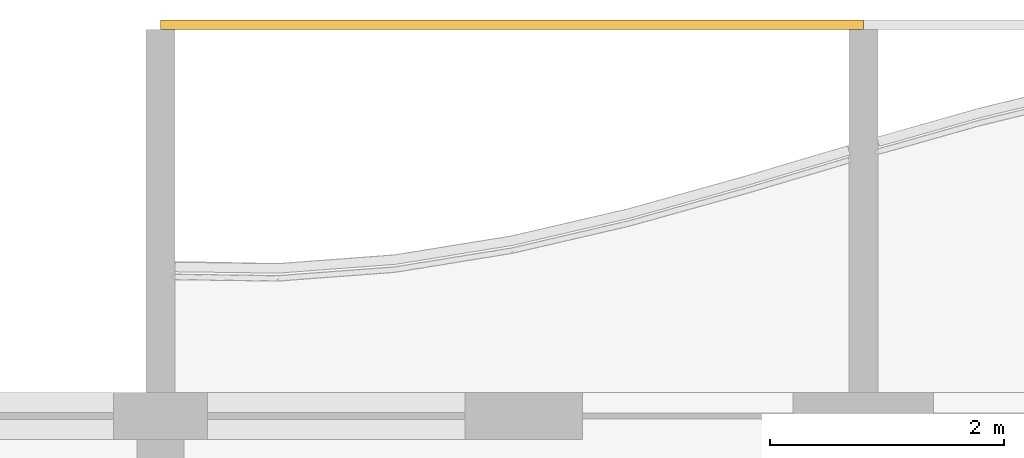
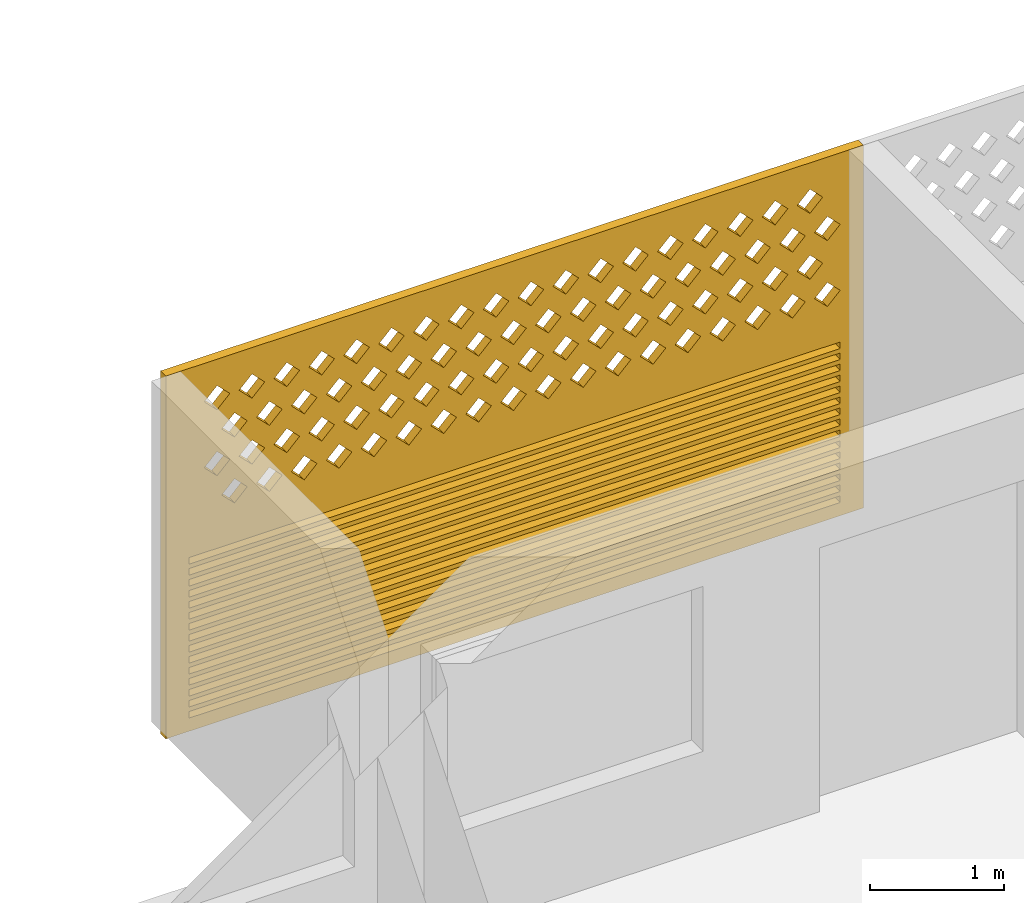
# One storey, part 30 of 39: 1 covering.
"""IFC4 building model written with IfcOpenShell, lengths in metres."""

import ifcopenshell
import ifcopenshell.guid

model = None  # the IFC model being written
_history = None  # IfcOwnerHistory: only IFC2X3 demands one
_inside = {}  # id of a spatial element -> (the spatial element, [elements in it])
_under = {}  # id of a project, library or spatial element -> (it, [spatial elements below it])
_declared = {}  # id of a project -> (the project, [libraries it declares])
_typed = {}  # id of a type object -> (the type object, [elements of that type])
_made_of = {}  # id of a material, layer set ... -> (it, [elements and type objects made of it])


def new_model(schema):
    """Start an empty IFC model of exactly this schema.

    Asked for "IFC4X3", IfcOpenShell would pick the latest addendum, in which some entities
    have other attributes; the version numbers below select the first issue.
    IFC2X3 requires an IfcOwnerHistory on every rooted entity: one is made here for all.
    """
    global model, _history
    if schema == "IFC4X3":
        model = ifcopenshell.file(schema_version=(4, 3, 0, 0))
    else:
        model = ifcopenshell.file(schema=schema)
    _inside.clear()
    _under.clear()
    _declared.clear()
    _typed.clear()
    _made_of.clear()
    _history = None
    if model.schema == "IFC2X3":
        org = make("IfcOrganization", Name="unknown")
        user = make(
            "IfcPersonAndOrganization",
            ThePerson=make("IfcPerson", FamilyName="unknown"),
            TheOrganization=org,
        )
        app = make(
            "IfcApplication",
            ApplicationDeveloper=org,
            Version="unknown",
            ApplicationFullName="unknown",
            ApplicationIdentifier="unknown",
        )
        _history = make(
            "IfcOwnerHistory",
            OwningUser=user,
            OwningApplication=app,
            ChangeAction="ADDED",
            CreationDate=0,
        )
    return model


def make(cls, **values):
    """One entity of the class cls with the attributes given. An attribute that is None is left unset."""
    return model.create_entity(
        cls, **{name: value for name, value in values.items() if value is not None}
    )


def rooted(cls, **values):
    """An entity with a GlobalId (a new one), such as an element, a storey or a relation."""
    return make(cls, GlobalId=ifcopenshell.guid.new(), OwnerHistory=_history, **values)


def si_unit(unit_type, name, prefix=None):
    """IfcSIUnit, for example si_unit("LENGTHUNIT", "METRE", prefix="MILLI")."""
    return make("IfcSIUnit", UnitType=unit_type, Prefix=prefix, Name=name)


def assignment(units):
    """IfcUnitAssignment: the units of a project."""
    return None if units is None else make("IfcUnitAssignment", Units=units)


def point(xyz):
    """IfcCartesianPoint."""
    return None if xyz is None else make("IfcCartesianPoint", Coordinates=xyz)


def direction(xyz):
    """IfcDirection."""
    return None if xyz is None else make("IfcDirection", DirectionRatios=xyz)


def frame(location, z_axis=None, x_axis=None):
    """IfcAxis2Placement3D, a coordinate frame: its origin and axes. An axis left out is left unset."""
    return make(
        "IfcAxis2Placement3D",
        Location=point(location),
        Axis=direction(z_axis),
        RefDirection=direction(x_axis),
    )


def origin():
    """The frame at (0, 0, 0) with its axes left unset."""
    return frame((0.0, 0.0, 0.0))


def place(relative_to, where):
    """IfcLocalPlacement: puts the frame where relative to a parent placement (None: the world)."""
    return make(
        "IfcLocalPlacement", PlacementRelTo=relative_to, RelativePlacement=where
    )


def context(
    kind, dimensions, precision=None, world=None, true_north=None, identifier=None
):
    """IfcGeometricRepresentationContext, for example the 3D "Model" context."""
    return make(
        "IfcGeometricRepresentationContext",
        ContextIdentifier=identifier,
        ContextType=kind,
        CoordinateSpaceDimension=dimensions,
        Precision=precision,
        WorldCoordinateSystem=world,
        TrueNorth=true_north,
    )


def subcontext(parent, identifier, kind, view, scale=None):
    """IfcGeometricRepresentationSubContext, for example "Body" below "Model"."""
    return make(
        "IfcGeometricRepresentationSubContext",
        ContextIdentifier=identifier,
        ContextType=kind,
        ParentContext=parent,
        TargetScale=scale,
        TargetView=view,
    )


def project(units=None, contexts=None):
    """IfcProject with its units and contexts."""
    return rooted(
        "IfcProject",
        Name="project",
        RepresentationContexts=contexts,
        UnitsInContext=assignment(units),
    )


def spatial(cls, under=None, at=None, **own):
    """A site, building, storey or space (cls), placed at a placement, below another one or the project."""
    s = rooted(cls, ObjectPlacement=at, **own)
    if under is not None:
        _under.setdefault(under.id(), (under, []))[1].append(s)
    return s


def polyline(points):
    """IfcPolyline through the points."""
    return make("IfcPolyline", Points=[point(p) for p in points])


def outline(outer, holes=None, kind="AREA"):
    """IfcArbitraryClosedProfileDef: a profile drawn as a closed curve; with holes, ...WithVoids."""
    if holes is None:
        return make("IfcArbitraryClosedProfileDef", ProfileType=kind, OuterCurve=outer)
    return make(
        "IfcArbitraryProfileDefWithVoids",
        ProfileType=kind,
        OuterCurve=outer,
        InnerCurves=holes,
    )


def extrude(swept, where, along, depth):
    """IfcExtrudedAreaSolid: the profile swept, set in the frame where, extruded along a direction by depth."""
    return make(
        "IfcExtrudedAreaSolid",
        SweptArea=swept,
        Position=where,
        ExtrudedDirection=direction(along),
        Depth=depth,
    )


def shape(context_of_items, identifier, shape_type, items):
    """IfcShapeRepresentation: the items that make up one representation, for example the "Body"."""
    return make(
        "IfcShapeRepresentation",
        ContextOfItems=context_of_items,
        RepresentationIdentifier=identifier,
        RepresentationType=shape_type,
        Items=items,
    )


def source(mapping_origin, context_of_items, identifier, shape_type, items):
    """IfcRepresentationMap: a shape defined once, which mapped items show again and again."""
    return make(
        "IfcRepresentationMap",
        MappingOrigin=mapping_origin,
        MappedRepresentation=shape(context_of_items, identifier, shape_type, items),
    )


def transform(
    local_origin,
    x_axis=None,
    y_axis=None,
    z_axis=None,
    scale=None,
    scale2=None,
    scale3=None,
    uniform=True,
):
    """IfcCartesianTransformationOperator3D, or its non-uniform kind. x_axis, y_axis, z_axis: its Axis1, 2, 3."""
    if uniform:
        return make(
            "IfcCartesianTransformationOperator3D",
            Axis1=direction(x_axis),
            Axis2=direction(y_axis),
            LocalOrigin=point(local_origin),
            Scale=scale,
            Axis3=direction(z_axis),
        )
    return make(
        "IfcCartesianTransformationOperator3DnonUniform",
        Axis1=direction(x_axis),
        Axis2=direction(y_axis),
        LocalOrigin=point(local_origin),
        Scale=scale,
        Axis3=direction(z_axis),
        Scale2=scale2,
        Scale3=scale3,
    )


def mapped(mapping_source, mapping_target):
    """IfcMappedItem: shows the shape of a source again, moved by a transform."""
    return make(
        "IfcMappedItem", MappingSource=mapping_source, MappingTarget=mapping_target
    )


def material(Name=None, Category=None):
    """IfcMaterial."""
    return make("IfcMaterial", Name=Name, Category=Category)


def material_profile(
    of_material, cross_section, Name=None, Category=None, Priority=None
):
    """IfcMaterialProfile: a cross section and its material."""
    return make(
        "IfcMaterialProfile",
        Name=Name,
        Material=of_material,
        Profile=cross_section,
        Priority=Priority,
        Category=Category,
    )


def profile_set(profiles, Name=None, composite=None):
    """IfcMaterialProfileSet."""
    return make(
        "IfcMaterialProfileSet",
        Name=Name,
        MaterialProfiles=profiles,
        CompositeProfile=composite,
    )


def made_of(thing, what):
    """Note that an element or type object is made of a material, layer set ...; save() writes the relation."""
    if what is not None:
        _made_of.setdefault(what.id(), (what, []))[1].append(thing)
    return thing


def type_object(cls, material=None, **own):
    """A type object (cls), such as IfcWallType, which elements share."""
    return made_of(rooted(cls, **own), material)


def element(
    cls,
    number,
    at=None,
    inside=None,
    cuts=None,
    type_object=None,
    material=None,
    context=None,
    identifier="Body",
    shape_type=None,
    held_by="IfcProductDefinitionShape",
    body=None,
    shapes=None,
    **own,
):
    """One element of the class cls, such as IfcWall. Its Tag is "e" and its number.

    at: its placement. inside: the storey or other place that contains it. cuts: it is an
    opening in that element (IfcRelVoidsElement). A single representation is given by context,
    identifier, shape_type and body (its items); several are given by shapes. held_by: the class
    of the entity that holds the representations. save() writes the other relations.
    """
    e = rooted(cls, Tag="e%d" % number, ObjectPlacement=at, **own)
    if body is not None:
        shapes = [shape(context, identifier, shape_type, body)]
    if shapes is not None:
        e.Representation = make(held_by, Representations=shapes)
    if inside is not None:
        _inside.setdefault(inside.id(), (inside, []))[1].append(e)
    if cuts is not None:
        rooted(
            "IfcRelVoidsElement", RelatingBuildingElement=cuts, RelatedOpeningElement=e
        )
    if type_object is not None:
        _typed.setdefault(type_object.id(), (type_object, []))[1].append(e)
    return made_of(e, material)


def aggregate(whole, parts):
    """IfcRelAggregates: a whole, such as a stair, and the parts it consists of."""
    return rooted("IfcRelAggregates", RelatingObject=whole, RelatedObjects=parts)


def save(model, path):
    """Write the relations noted so far, then the file.

    IfcRelAggregates (storeys below a building ...), IfcRelContainedInSpatialStructure (elements
    in a storey), IfcRelDefinesByType, IfcRelAssociatesMaterial and IfcRelDeclares: one each for
    every whole, place, type object, material and project.
    """
    for whole, parts in _under.values():
        aggregate(whole, parts)
    for where, things in _inside.values():
        rooted(
            "IfcRelContainedInSpatialStructure",
            RelatedElements=things,
            RelatingStructure=where,
        )
    for kind, things in _typed.values():
        rooted("IfcRelDefinesByType", RelatedObjects=things, RelatingType=kind)
    for what, things in _made_of.values():
        rooted("IfcRelAssociatesMaterial", RelatedObjects=things, RelatingMaterial=what)
    for by, libraries in _declared.values():
        rooted("IfcRelDeclares", RelatingContext=by, RelatedDefinitions=libraries)
    model.write(path)


model = new_model("IFC4")

# Units and contexts
model_context = context("Model", 3, precision=1e-05, world=origin(), true_north=direction((0.0, 1.0)))
body_context = subcontext(model_context, "Body", "Model", "MODEL_VIEW")
ifc_project = project(units=[si_unit("LENGTHUNIT", "METRE"), si_unit("AREAUNIT", "SQUARE_METRE"), si_unit("VOLUMEUNIT", "CUBIC_METRE"), si_unit("PLANEANGLEUNIT", "RADIAN"), si_unit("MASSUNIT", "GRAM", prefix="KILO")], contexts=[model_context])

# Site, building, storey
site_placement = place(None, origin())
site = spatial("IfcSite", under=ifc_project, at=site_placement, CompositionType="ELEMENT")
building_placement = place(site_placement, origin())
building = spatial("IfcBuilding", under=site, at=building_placement, Name="Poui Terraces", CompositionType="ELEMENT")
storey_placement = place(building_placement, frame((0.0, 0.0, 56.39990234375)))
storey = spatial("IfcBuildingStorey", under=building, at=storey_placement, Name="L15", CompositionType="ELEMENT", Elevation=56.39990234375)

# Covering
ifc_material = material(Name="Terracotta screen", Category="masonry")
ifc_material_profile = material_profile(ifc_material, outline(polyline([(-3.0, -1.64990234375), (3.0, -1.64990234375), (3.0, 1.64990234375), (-3.0, 1.64990234375), (-3.0, -1.64990234375)]), holes=[polyline([(-2.800048828125, 0.39990234375), (-2.68994140625, 0.2900390625), (-2.580078125, 0.39990234375), (-2.68994140625, 0.510009765625), (-2.800048828125, 0.39990234375)]), polyline([(-2.5, 0.39990234375), (-2.389892578125, 0.2900390625), (-2.280029296875, 0.39990234375), (-2.389892578125, 0.510009765625), (-2.5, 0.39990234375)]), polyline([(-2.199951171875, 0.39990234375), (-2.090087890625, 0.2900390625), (-1.97998046875, 0.39990234375), (-2.090087890625, 0.510009765625), (-2.199951171875, 0.39990234375)]), polyline([(-1.89990234375, 0.39990234375), (-1.7900390625, 0.2900390625), (-1.679931640625, 0.39990234375), (-1.7900390625, 0.510009765625), (-1.89990234375, 0.39990234375)]), polyline([(-1.60009765625, 0.39990234375), (-1.489990234375, 0.2900390625), (-1.3798828125, 0.39990234375), (-1.489990234375, 0.510009765625), (-1.60009765625, 0.39990234375)]), polyline([(-1.300048828125, 0.39990234375), (-1.18994140625, 0.2900390625), (-1.080078125, 0.39990234375), (-1.18994140625, 0.510009765625), (-1.300048828125, 0.39990234375)]), polyline([(-1.0, 0.39990234375), (-0.889892578125, 0.2900390625), (-0.780029296875, 0.39990234375), (-0.889892578125, 0.510009765625), (-1.0, 0.39990234375)]), polyline([(-0.699951171875, 0.39990234375), (-0.590087890625, 0.2900390625), (-0.47998046875, 0.39990234375), (-0.590087890625, 0.510009765625), (-0.699951171875, 0.39990234375)]), polyline([(-0.39990234375, 0.39990234375), (-0.2900390625, 0.2900390625), (-0.179931640625, 0.39990234375), (-0.2900390625, 0.510009765625), (-0.39990234375, 0.39990234375)]), polyline([(-0.10009765625, 0.39990234375), (0.010009765625, 0.2900390625), (0.1201171875, 0.39990234375), (0.010009765625, 0.510009765625), (-0.10009765625, 0.39990234375)]), polyline([(0.199951171875, 0.39990234375), (0.31005859375, 0.2900390625), (0.419921875, 0.39990234375), (0.31005859375, 0.510009765625), (0.199951171875, 0.39990234375)]), polyline([(0.5, 0.39990234375), (0.610107421875, 0.2900390625), (0.719970703125, 0.39990234375), (0.610107421875, 0.510009765625), (0.5, 0.39990234375)]), polyline([(0.800048828125, 0.39990234375), (0.909912109375, 0.2900390625), (1.02001953125, 0.39990234375), (0.909912109375, 0.510009765625), (0.800048828125, 0.39990234375)]), polyline([(1.10009765625, 0.39990234375), (1.2099609375, 0.2900390625), (1.320068359375, 0.39990234375), (1.2099609375, 0.510009765625), (1.10009765625, 0.39990234375)]), polyline([(1.39990234375, 0.39990234375), (1.510009765625, 0.2900390625), (1.6201171875, 0.39990234375), (1.510009765625, 0.510009765625), (1.39990234375, 0.39990234375)]), polyline([(1.699951171875, 0.39990234375), (1.81005859375, 0.2900390625), (1.919921875, 0.39990234375), (1.81005859375, 0.510009765625), (1.699951171875, 0.39990234375)]), polyline([(2.0, 0.39990234375), (2.110107421875, 0.2900390625), (2.219970703125, 0.39990234375), (2.110107421875, 0.510009765625), (2.0, 0.39990234375)]), polyline([(2.300048828125, 0.39990234375), (2.409912109375, 0.2900390625), (2.52001953125, 0.39990234375), (2.409912109375, 0.510009765625), (2.300048828125, 0.39990234375)]), polyline([(-2.64990234375, 0.699951171875), (-2.5400390625, 0.590087890625), (-2.429931640625, 0.699951171875), (-2.5400390625, 0.81005859375), (-2.64990234375, 0.699951171875)]), polyline([(-2.35009765625, 0.699951171875), (-2.239990234375, 0.590087890625), (-2.1298828125, 0.699951171875), (-2.239990234375, 0.81005859375), (-2.35009765625, 0.699951171875)]), polyline([(-2.050048828125, 0.699951171875), (-1.93994140625, 0.590087890625), (-1.830078125, 0.699951171875), (-1.93994140625, 0.81005859375), (-2.050048828125, 0.699951171875)]), polyline([(-1.75, 0.699951171875), (-1.639892578125, 0.590087890625), (-1.530029296875, 0.699951171875), (-1.639892578125, 0.81005859375), (-1.75, 0.699951171875)]), polyline([(-1.449951171875, 0.699951171875), (-1.340087890625, 0.590087890625), (-1.22998046875, 0.699951171875), (-1.340087890625, 0.81005859375), (-1.449951171875, 0.699951171875)]), polyline([(-1.14990234375, 0.699951171875), (-1.0400390625, 0.590087890625), (-0.929931640625, 0.699951171875), (-1.0400390625, 0.81005859375), (-1.14990234375, 0.699951171875)]), polyline([(-0.85009765625, 0.699951171875), (-0.739990234375, 0.590087890625), (-0.6298828125, 0.699951171875), (-0.739990234375, 0.81005859375), (-0.85009765625, 0.699951171875)]), polyline([(-0.550048828125, 0.699951171875), (-0.43994140625, 0.590087890625), (-0.330078125, 0.699951171875), (-0.43994140625, 0.81005859375), (-0.550048828125, 0.699951171875)]), polyline([(-0.25, 0.699951171875), (-0.139892578125, 0.590087890625), (-0.030029296875, 0.699951171875), (-0.139892578125, 0.81005859375), (-0.25, 0.699951171875)]), polyline([(0.050048828125, 0.699951171875), (0.159912109375, 0.590087890625), (0.27001953125, 0.699951171875), (0.159912109375, 0.81005859375), (0.050048828125, 0.699951171875)]), polyline([(0.35009765625, 0.699951171875), (0.4599609375, 0.590087890625), (0.570068359375, 0.699951171875), (0.4599609375, 0.81005859375), (0.35009765625, 0.699951171875)]), polyline([(0.64990234375, 0.699951171875), (0.760009765625, 0.590087890625), (0.8701171875, 0.699951171875), (0.760009765625, 0.81005859375), (0.64990234375, 0.699951171875)]), polyline([(0.949951171875, 0.699951171875), (1.06005859375, 0.590087890625), (1.169921875, 0.699951171875), (1.06005859375, 0.81005859375), (0.949951171875, 0.699951171875)]), polyline([(1.25, 0.699951171875), (1.360107421875, 0.590087890625), (1.469970703125, 0.699951171875), (1.360107421875, 0.81005859375), (1.25, 0.699951171875)]), polyline([(1.550048828125, 0.699951171875), (1.659912109375, 0.590087890625), (1.77001953125, 0.699951171875), (1.659912109375, 0.81005859375), (1.550048828125, 0.699951171875)]), polyline([(1.85009765625, 0.699951171875), (1.9599609375, 0.590087890625), (2.070068359375, 0.699951171875), (1.9599609375, 0.81005859375), (1.85009765625, 0.699951171875)]), polyline([(2.14990234375, 0.699951171875), (2.260009765625, 0.590087890625), (2.3701171875, 0.699951171875), (2.260009765625, 0.81005859375), (2.14990234375, 0.699951171875)]), polyline([(2.449951171875, 0.699951171875), (2.56005859375, 0.590087890625), (2.669921875, 0.699951171875), (2.56005859375, 0.81005859375), (2.449951171875, 0.699951171875)]), polyline([(-2.800048828125, 1.0), (-2.68994140625, 0.889892578125), (-2.580078125, 1.0), (-2.68994140625, 1.110107421875), (-2.800048828125, 1.0)]), polyline([(-2.5, 1.0), (-2.389892578125, 0.889892578125), (-2.280029296875, 1.0), (-2.389892578125, 1.110107421875), (-2.5, 1.0)]), polyline([(-2.199951171875, 1.0), (-2.090087890625, 0.889892578125), (-1.97998046875, 1.0), (-2.090087890625, 1.110107421875), (-2.199951171875, 1.0)]), polyline([(-1.89990234375, 1.0), (-1.7900390625, 0.889892578125), (-1.679931640625, 1.0), (-1.7900390625, 1.110107421875), (-1.89990234375, 1.0)]), polyline([(-1.60009765625, 1.0), (-1.489990234375, 0.889892578125), (-1.3798828125, 1.0), (-1.489990234375, 1.110107421875), (-1.60009765625, 1.0)]), polyline([(-1.300048828125, 1.0), (-1.18994140625, 0.889892578125), (-1.080078125, 1.0), (-1.18994140625, 1.110107421875), (-1.300048828125, 1.0)]), polyline([(-1.0, 1.0), (-0.889892578125, 0.889892578125), (-0.780029296875, 1.0), (-0.889892578125, 1.110107421875), (-1.0, 1.0)]), polyline([(-0.699951171875, 1.0), (-0.590087890625, 0.889892578125), (-0.47998046875, 1.0), (-0.590087890625, 1.110107421875), (-0.699951171875, 1.0)]), polyline([(-0.39990234375, 1.0), (-0.2900390625, 0.889892578125), (-0.179931640625, 1.0), (-0.2900390625, 1.110107421875), (-0.39990234375, 1.0)]), polyline([(-0.10009765625, 1.0), (0.010009765625, 0.889892578125), (0.1201171875, 1.0), (0.010009765625, 1.110107421875), (-0.10009765625, 1.0)]), polyline([(0.199951171875, 1.0), (0.31005859375, 0.889892578125), (0.419921875, 1.0), (0.31005859375, 1.110107421875), (0.199951171875, 1.0)]), polyline([(0.5, 1.0), (0.610107421875, 0.889892578125), (0.719970703125, 1.0), (0.610107421875, 1.110107421875), (0.5, 1.0)]), polyline([(0.800048828125, 1.0), (0.909912109375, 0.889892578125), (1.02001953125, 1.0), (0.909912109375, 1.110107421875), (0.800048828125, 1.0)]), polyline([(1.10009765625, 1.0), (1.2099609375, 0.889892578125), (1.320068359375, 1.0), (1.2099609375, 1.110107421875), (1.10009765625, 1.0)]), polyline([(1.39990234375, 1.0), (1.510009765625, 0.889892578125), (1.6201171875, 1.0), (1.510009765625, 1.110107421875), (1.39990234375, 1.0)]), polyline([(1.699951171875, 1.0), (1.81005859375, 0.889892578125), (1.919921875, 1.0), (1.81005859375, 1.110107421875), (1.699951171875, 1.0)]), polyline([(2.0, 1.0), (2.110107421875, 0.889892578125), (2.219970703125, 1.0), (2.110107421875, 1.110107421875), (2.0, 1.0)]), polyline([(2.300048828125, 1.0), (2.409912109375, 0.889892578125), (2.52001953125, 1.0), (2.409912109375, 1.110107421875), (2.300048828125, 1.0)]), polyline([(-2.64990234375, 1.300048828125), (-2.5400390625, 1.18994140625), (-2.429931640625, 1.300048828125), (-2.5400390625, 1.409912109375), (-2.64990234375, 1.300048828125)]), polyline([(-2.35009765625, 1.300048828125), (-2.239990234375, 1.18994140625), (-2.1298828125, 1.300048828125), (-2.239990234375, 1.409912109375), (-2.35009765625, 1.300048828125)]), polyline([(-2.050048828125, 1.300048828125), (-1.93994140625, 1.18994140625), (-1.830078125, 1.300048828125), (-1.93994140625, 1.409912109375), (-2.050048828125, 1.300048828125)]), polyline([(-1.75, 1.300048828125), (-1.639892578125, 1.18994140625), (-1.530029296875, 1.300048828125), (-1.639892578125, 1.409912109375), (-1.75, 1.300048828125)]), polyline([(-1.449951171875, 1.300048828125), (-1.340087890625, 1.18994140625), (-1.22998046875, 1.300048828125), (-1.340087890625, 1.409912109375), (-1.449951171875, 1.300048828125)]), polyline([(-1.14990234375, 1.300048828125), (-1.0400390625, 1.18994140625), (-0.929931640625, 1.300048828125), (-1.0400390625, 1.409912109375), (-1.14990234375, 1.300048828125)]), polyline([(-0.85009765625, 1.300048828125), (-0.739990234375, 1.18994140625), (-0.6298828125, 1.300048828125), (-0.739990234375, 1.409912109375), (-0.85009765625, 1.300048828125)]), polyline([(-0.550048828125, 1.300048828125), (-0.43994140625, 1.18994140625), (-0.330078125, 1.300048828125), (-0.43994140625, 1.409912109375), (-0.550048828125, 1.300048828125)]), polyline([(-0.25, 1.300048828125), (-0.139892578125, 1.18994140625), (-0.030029296875, 1.300048828125), (-0.139892578125, 1.409912109375), (-0.25, 1.300048828125)]), polyline([(0.050048828125, 1.300048828125), (0.159912109375, 1.18994140625), (0.27001953125, 1.300048828125), (0.159912109375, 1.409912109375), (0.050048828125, 1.300048828125)]), polyline([(0.35009765625, 1.300048828125), (0.4599609375, 1.18994140625), (0.570068359375, 1.300048828125), (0.4599609375, 1.409912109375), (0.35009765625, 1.300048828125)]), polyline([(0.64990234375, 1.300048828125), (0.760009765625, 1.18994140625), (0.8701171875, 1.300048828125), (0.760009765625, 1.409912109375), (0.64990234375, 1.300048828125)]), polyline([(0.949951171875, 1.300048828125), (1.06005859375, 1.18994140625), (1.169921875, 1.300048828125), (1.06005859375, 1.409912109375), (0.949951171875, 1.300048828125)]), polyline([(1.25, 1.300048828125), (1.360107421875, 1.18994140625), (1.469970703125, 1.300048828125), (1.360107421875, 1.409912109375), (1.25, 1.300048828125)]), polyline([(1.550048828125, 1.300048828125), (1.659912109375, 1.18994140625), (1.77001953125, 1.300048828125), (1.659912109375, 1.409912109375), (1.550048828125, 1.300048828125)]), polyline([(1.85009765625, 1.300048828125), (1.9599609375, 1.18994140625), (2.070068359375, 1.300048828125), (1.9599609375, 1.409912109375), (1.85009765625, 1.300048828125)]), polyline([(2.14990234375, 1.300048828125), (2.260009765625, 1.18994140625), (2.3701171875, 1.300048828125), (2.260009765625, 1.409912109375), (2.14990234375, 1.300048828125)]), polyline([(2.449951171875, 1.300048828125), (2.56005859375, 1.18994140625), (2.669921875, 1.300048828125), (2.56005859375, 1.409912109375), (2.449951171875, 1.300048828125)]), polyline([(-2.800048828125, -1.530029296875), (2.800048828125, -1.530029296875), (2.800048828125, -1.469970703125), (-2.800048828125, -1.469970703125), (-2.800048828125, -1.530029296875)]), polyline([(-2.800048828125, -1.429931640625), (2.800048828125, -1.429931640625), (2.800048828125, -1.3701171875), (-2.800048828125, -1.3701171875), (-2.800048828125, -1.429931640625)]), polyline([(-2.800048828125, -1.330078125), (2.800048828125, -1.330078125), (2.800048828125, -1.27001953125), (-2.800048828125, -1.27001953125), (-2.800048828125, -1.330078125)]), polyline([(-2.800048828125, -1.22998046875), (2.800048828125, -1.22998046875), (2.800048828125, -1.169921875), (-2.800048828125, -1.169921875), (-2.800048828125, -1.22998046875)]), polyline([(-2.800048828125, -1.1298828125), (2.800048828125, -1.1298828125), (2.800048828125, -1.070068359375), (-2.800048828125, -1.070068359375), (-2.800048828125, -1.1298828125)]), polyline([(-2.800048828125, -1.030029296875), (2.800048828125, -1.030029296875), (2.800048828125, -0.969970703125), (-2.800048828125, -0.969970703125), (-2.800048828125, -1.030029296875)]), polyline([(-2.800048828125, -0.929931640625), (2.800048828125, -0.929931640625), (2.800048828125, -0.8701171875), (-2.800048828125, -0.8701171875), (-2.800048828125, -0.929931640625)]), polyline([(-2.800048828125, -0.830078125), (2.800048828125, -0.830078125), (2.800048828125, -0.77001953125), (-2.800048828125, -0.77001953125), (-2.800048828125, -0.830078125)]), polyline([(-2.800048828125, -0.72998046875), (2.800048828125, -0.72998046875), (2.800048828125, -0.669921875), (-2.800048828125, -0.669921875), (-2.800048828125, -0.72998046875)]), polyline([(-2.800048828125, -0.6298828125), (2.800048828125, -0.6298828125), (2.800048828125, -0.570068359375), (-2.800048828125, -0.570068359375), (-2.800048828125, -0.6298828125)]), polyline([(-2.800048828125, -0.530029296875), (2.800048828125, -0.530029296875), (2.800048828125, -0.469970703125), (-2.800048828125, -0.469970703125), (-2.800048828125, -0.530029296875)]), polyline([(-2.800048828125, -0.429931640625), (2.800048828125, -0.429931640625), (2.800048828125, -0.3701171875), (-2.800048828125, -0.3701171875), (-2.800048828125, -0.429931640625)]), polyline([(-2.800048828125, -0.330078125), (2.800048828125, -0.330078125), (2.800048828125, -0.27001953125), (-2.800048828125, -0.27001953125), (-2.800048828125, -0.330078125)]), polyline([(-2.800048828125, -0.22998046875), (2.800048828125, -0.22998046875), (2.800048828125, -0.169921875), (-2.800048828125, -0.169921875), (-2.800048828125, -0.22998046875)]), polyline([(-2.800048828125, -0.1298828125), (2.800048828125, -0.1298828125), (2.800048828125, -0.070068359375), (-2.800048828125, -0.070068359375), (-2.800048828125, -0.1298828125)])]), Name="TERRACOTTA SCREEN AND JALOUSIE LOUVRE 6000X3300")
ifc_profile_set = profile_set([ifc_material_profile], Name="Terracotta screen")
covering_type = type_object("IfcCoveringType", Name="TERRACOTTA SCREEN AND JALOUSIE LOUVRE 6000X3300", PredefinedType="CLADDING", material=ifc_profile_set)
shared_shape = source(origin(), body_context, "Body", "SweptSolid", [
    extrude(outline(polyline([(-3.0, -1.64990234375), (3.0, -1.64990234375), (3.0, 1.64990234375), (-3.0, 1.64990234375), (-3.0, -1.64990234375)]), holes=[polyline([(-2.800048828125, 0.39990234375), (-2.68994140625, 0.2900390625), (-2.580078125, 0.39990234375), (-2.68994140625, 0.510009765625), (-2.800048828125, 0.39990234375)]), polyline([(-2.5, 0.39990234375), (-2.389892578125, 0.2900390625), (-2.280029296875, 0.39990234375), (-2.389892578125, 0.510009765625), (-2.5, 0.39990234375)]), polyline([(-2.199951171875, 0.39990234375), (-2.090087890625, 0.2900390625), (-1.97998046875, 0.39990234375), (-2.090087890625, 0.510009765625), (-2.199951171875, 0.39990234375)]), polyline([(-1.89990234375, 0.39990234375), (-1.7900390625, 0.2900390625), (-1.679931640625, 0.39990234375), (-1.7900390625, 0.510009765625), (-1.89990234375, 0.39990234375)]), polyline([(-1.60009765625, 0.39990234375), (-1.489990234375, 0.2900390625), (-1.3798828125, 0.39990234375), (-1.489990234375, 0.510009765625), (-1.60009765625, 0.39990234375)]), polyline([(-1.300048828125, 0.39990234375), (-1.18994140625, 0.2900390625), (-1.080078125, 0.39990234375), (-1.18994140625, 0.510009765625), (-1.300048828125, 0.39990234375)]), polyline([(-1.0, 0.39990234375), (-0.889892578125, 0.2900390625), (-0.780029296875, 0.39990234375), (-0.889892578125, 0.510009765625), (-1.0, 0.39990234375)]), polyline([(-0.699951171875, 0.39990234375), (-0.590087890625, 0.2900390625), (-0.47998046875, 0.39990234375), (-0.590087890625, 0.510009765625), (-0.699951171875, 0.39990234375)]), polyline([(-0.39990234375, 0.39990234375), (-0.2900390625, 0.2900390625), (-0.179931640625, 0.39990234375), (-0.2900390625, 0.510009765625), (-0.39990234375, 0.39990234375)]), polyline([(-0.10009765625, 0.39990234375), (0.010009765625, 0.2900390625), (0.1201171875, 0.39990234375), (0.010009765625, 0.510009765625), (-0.10009765625, 0.39990234375)]), polyline([(0.199951171875, 0.39990234375), (0.31005859375, 0.2900390625), (0.419921875, 0.39990234375), (0.31005859375, 0.510009765625), (0.199951171875, 0.39990234375)]), polyline([(0.5, 0.39990234375), (0.610107421875, 0.2900390625), (0.719970703125, 0.39990234375), (0.610107421875, 0.510009765625), (0.5, 0.39990234375)]), polyline([(0.800048828125, 0.39990234375), (0.909912109375, 0.2900390625), (1.02001953125, 0.39990234375), (0.909912109375, 0.510009765625), (0.800048828125, 0.39990234375)]), polyline([(1.10009765625, 0.39990234375), (1.2099609375, 0.2900390625), (1.320068359375, 0.39990234375), (1.2099609375, 0.510009765625), (1.10009765625, 0.39990234375)]), polyline([(1.39990234375, 0.39990234375), (1.510009765625, 0.2900390625), (1.6201171875, 0.39990234375), (1.510009765625, 0.510009765625), (1.39990234375, 0.39990234375)]), polyline([(1.699951171875, 0.39990234375), (1.81005859375, 0.2900390625), (1.919921875, 0.39990234375), (1.81005859375, 0.510009765625), (1.699951171875, 0.39990234375)]), polyline([(2.0, 0.39990234375), (2.110107421875, 0.2900390625), (2.219970703125, 0.39990234375), (2.110107421875, 0.510009765625), (2.0, 0.39990234375)]), polyline([(2.300048828125, 0.39990234375), (2.409912109375, 0.2900390625), (2.52001953125, 0.39990234375), (2.409912109375, 0.510009765625), (2.300048828125, 0.39990234375)]), polyline([(-2.64990234375, 0.699951171875), (-2.5400390625, 0.590087890625), (-2.429931640625, 0.699951171875), (-2.5400390625, 0.81005859375), (-2.64990234375, 0.699951171875)]), polyline([(-2.35009765625, 0.699951171875), (-2.239990234375, 0.590087890625), (-2.1298828125, 0.699951171875), (-2.239990234375, 0.81005859375), (-2.35009765625, 0.699951171875)]), polyline([(-2.050048828125, 0.699951171875), (-1.93994140625, 0.590087890625), (-1.830078125, 0.699951171875), (-1.93994140625, 0.81005859375), (-2.050048828125, 0.699951171875)]), polyline([(-1.75, 0.699951171875), (-1.639892578125, 0.590087890625), (-1.530029296875, 0.699951171875), (-1.639892578125, 0.81005859375), (-1.75, 0.699951171875)]), polyline([(-1.449951171875, 0.699951171875), (-1.340087890625, 0.590087890625), (-1.22998046875, 0.699951171875), (-1.340087890625, 0.81005859375), (-1.449951171875, 0.699951171875)]), polyline([(-1.14990234375, 0.699951171875), (-1.0400390625, 0.590087890625), (-0.929931640625, 0.699951171875), (-1.0400390625, 0.81005859375), (-1.14990234375, 0.699951171875)]), polyline([(-0.85009765625, 0.699951171875), (-0.739990234375, 0.590087890625), (-0.6298828125, 0.699951171875), (-0.739990234375, 0.81005859375), (-0.85009765625, 0.699951171875)]), polyline([(-0.550048828125, 0.699951171875), (-0.43994140625, 0.590087890625), (-0.330078125, 0.699951171875), (-0.43994140625, 0.81005859375), (-0.550048828125, 0.699951171875)]), polyline([(-0.25, 0.699951171875), (-0.139892578125, 0.590087890625), (-0.030029296875, 0.699951171875), (-0.139892578125, 0.81005859375), (-0.25, 0.699951171875)]), polyline([(0.050048828125, 0.699951171875), (0.159912109375, 0.590087890625), (0.27001953125, 0.699951171875), (0.159912109375, 0.81005859375), (0.050048828125, 0.699951171875)]), polyline([(0.35009765625, 0.699951171875), (0.4599609375, 0.590087890625), (0.570068359375, 0.699951171875), (0.4599609375, 0.81005859375), (0.35009765625, 0.699951171875)]), polyline([(0.64990234375, 0.699951171875), (0.760009765625, 0.590087890625), (0.8701171875, 0.699951171875), (0.760009765625, 0.81005859375), (0.64990234375, 0.699951171875)]), polyline([(0.949951171875, 0.699951171875), (1.06005859375, 0.590087890625), (1.169921875, 0.699951171875), (1.06005859375, 0.81005859375), (0.949951171875, 0.699951171875)]), polyline([(1.25, 0.699951171875), (1.360107421875, 0.590087890625), (1.469970703125, 0.699951171875), (1.360107421875, 0.81005859375), (1.25, 0.699951171875)]), polyline([(1.550048828125, 0.699951171875), (1.659912109375, 0.590087890625), (1.77001953125, 0.699951171875), (1.659912109375, 0.81005859375), (1.550048828125, 0.699951171875)]), polyline([(1.85009765625, 0.699951171875), (1.9599609375, 0.590087890625), (2.070068359375, 0.699951171875), (1.9599609375, 0.81005859375), (1.85009765625, 0.699951171875)]), polyline([(2.14990234375, 0.699951171875), (2.260009765625, 0.590087890625), (2.3701171875, 0.699951171875), (2.260009765625, 0.81005859375), (2.14990234375, 0.699951171875)]), polyline([(2.449951171875, 0.699951171875), (2.56005859375, 0.590087890625), (2.669921875, 0.699951171875), (2.56005859375, 0.81005859375), (2.449951171875, 0.699951171875)]), polyline([(-2.800048828125, 1.0), (-2.68994140625, 0.889892578125), (-2.580078125, 1.0), (-2.68994140625, 1.110107421875), (-2.800048828125, 1.0)]), polyline([(-2.5, 1.0), (-2.389892578125, 0.889892578125), (-2.280029296875, 1.0), (-2.389892578125, 1.110107421875), (-2.5, 1.0)]), polyline([(-2.199951171875, 1.0), (-2.090087890625, 0.889892578125), (-1.97998046875, 1.0), (-2.090087890625, 1.110107421875), (-2.199951171875, 1.0)]), polyline([(-1.89990234375, 1.0), (-1.7900390625, 0.889892578125), (-1.679931640625, 1.0), (-1.7900390625, 1.110107421875), (-1.89990234375, 1.0)]), polyline([(-1.60009765625, 1.0), (-1.489990234375, 0.889892578125), (-1.3798828125, 1.0), (-1.489990234375, 1.110107421875), (-1.60009765625, 1.0)]), polyline([(-1.300048828125, 1.0), (-1.18994140625, 0.889892578125), (-1.080078125, 1.0), (-1.18994140625, 1.110107421875), (-1.300048828125, 1.0)]), polyline([(-1.0, 1.0), (-0.889892578125, 0.889892578125), (-0.780029296875, 1.0), (-0.889892578125, 1.110107421875), (-1.0, 1.0)]), polyline([(-0.699951171875, 1.0), (-0.590087890625, 0.889892578125), (-0.47998046875, 1.0), (-0.590087890625, 1.110107421875), (-0.699951171875, 1.0)]), polyline([(-0.39990234375, 1.0), (-0.2900390625, 0.889892578125), (-0.179931640625, 1.0), (-0.2900390625, 1.110107421875), (-0.39990234375, 1.0)]), polyline([(-0.10009765625, 1.0), (0.010009765625, 0.889892578125), (0.1201171875, 1.0), (0.010009765625, 1.110107421875), (-0.10009765625, 1.0)]), polyline([(0.199951171875, 1.0), (0.31005859375, 0.889892578125), (0.419921875, 1.0), (0.31005859375, 1.110107421875), (0.199951171875, 1.0)]), polyline([(0.5, 1.0), (0.610107421875, 0.889892578125), (0.719970703125, 1.0), (0.610107421875, 1.110107421875), (0.5, 1.0)]), polyline([(0.800048828125, 1.0), (0.909912109375, 0.889892578125), (1.02001953125, 1.0), (0.909912109375, 1.110107421875), (0.800048828125, 1.0)]), polyline([(1.10009765625, 1.0), (1.2099609375, 0.889892578125), (1.320068359375, 1.0), (1.2099609375, 1.110107421875), (1.10009765625, 1.0)]), polyline([(1.39990234375, 1.0), (1.510009765625, 0.889892578125), (1.6201171875, 1.0), (1.510009765625, 1.110107421875), (1.39990234375, 1.0)]), polyline([(1.699951171875, 1.0), (1.81005859375, 0.889892578125), (1.919921875, 1.0), (1.81005859375, 1.110107421875), (1.699951171875, 1.0)]), polyline([(2.0, 1.0), (2.110107421875, 0.889892578125), (2.219970703125, 1.0), (2.110107421875, 1.110107421875), (2.0, 1.0)]), polyline([(2.300048828125, 1.0), (2.409912109375, 0.889892578125), (2.52001953125, 1.0), (2.409912109375, 1.110107421875), (2.300048828125, 1.0)]), polyline([(-2.64990234375, 1.300048828125), (-2.5400390625, 1.18994140625), (-2.429931640625, 1.300048828125), (-2.5400390625, 1.409912109375), (-2.64990234375, 1.300048828125)]), polyline([(-2.35009765625, 1.300048828125), (-2.239990234375, 1.18994140625), (-2.1298828125, 1.300048828125), (-2.239990234375, 1.409912109375), (-2.35009765625, 1.300048828125)]), polyline([(-2.050048828125, 1.300048828125), (-1.93994140625, 1.18994140625), (-1.830078125, 1.300048828125), (-1.93994140625, 1.409912109375), (-2.050048828125, 1.300048828125)]), polyline([(-1.75, 1.300048828125), (-1.639892578125, 1.18994140625), (-1.530029296875, 1.300048828125), (-1.639892578125, 1.409912109375), (-1.75, 1.300048828125)]), polyline([(-1.449951171875, 1.300048828125), (-1.340087890625, 1.18994140625), (-1.22998046875, 1.300048828125), (-1.340087890625, 1.409912109375), (-1.449951171875, 1.300048828125)]), polyline([(-1.14990234375, 1.300048828125), (-1.0400390625, 1.18994140625), (-0.929931640625, 1.300048828125), (-1.0400390625, 1.409912109375), (-1.14990234375, 1.300048828125)]), polyline([(-0.85009765625, 1.300048828125), (-0.739990234375, 1.18994140625), (-0.6298828125, 1.300048828125), (-0.739990234375, 1.409912109375), (-0.85009765625, 1.300048828125)]), polyline([(-0.550048828125, 1.300048828125), (-0.43994140625, 1.18994140625), (-0.330078125, 1.300048828125), (-0.43994140625, 1.409912109375), (-0.550048828125, 1.300048828125)]), polyline([(-0.25, 1.300048828125), (-0.139892578125, 1.18994140625), (-0.030029296875, 1.300048828125), (-0.139892578125, 1.409912109375), (-0.25, 1.300048828125)]), polyline([(0.050048828125, 1.300048828125), (0.159912109375, 1.18994140625), (0.27001953125, 1.300048828125), (0.159912109375, 1.409912109375), (0.050048828125, 1.300048828125)]), polyline([(0.35009765625, 1.300048828125), (0.4599609375, 1.18994140625), (0.570068359375, 1.300048828125), (0.4599609375, 1.409912109375), (0.35009765625, 1.300048828125)]), polyline([(0.64990234375, 1.300048828125), (0.760009765625, 1.18994140625), (0.8701171875, 1.300048828125), (0.760009765625, 1.409912109375), (0.64990234375, 1.300048828125)]), polyline([(0.949951171875, 1.300048828125), (1.06005859375, 1.18994140625), (1.169921875, 1.300048828125), (1.06005859375, 1.409912109375), (0.949951171875, 1.300048828125)]), polyline([(1.25, 1.300048828125), (1.360107421875, 1.18994140625), (1.469970703125, 1.300048828125), (1.360107421875, 1.409912109375), (1.25, 1.300048828125)]), polyline([(1.550048828125, 1.300048828125), (1.659912109375, 1.18994140625), (1.77001953125, 1.300048828125), (1.659912109375, 1.409912109375), (1.550048828125, 1.300048828125)]), polyline([(1.85009765625, 1.300048828125), (1.9599609375, 1.18994140625), (2.070068359375, 1.300048828125), (1.9599609375, 1.409912109375), (1.85009765625, 1.300048828125)]), polyline([(2.14990234375, 1.300048828125), (2.260009765625, 1.18994140625), (2.3701171875, 1.300048828125), (2.260009765625, 1.409912109375), (2.14990234375, 1.300048828125)]), polyline([(2.449951171875, 1.300048828125), (2.56005859375, 1.18994140625), (2.669921875, 1.300048828125), (2.56005859375, 1.409912109375), (2.449951171875, 1.300048828125)]), polyline([(-2.800048828125, -1.530029296875), (2.800048828125, -1.530029296875), (2.800048828125, -1.469970703125), (-2.800048828125, -1.469970703125), (-2.800048828125, -1.530029296875)]), polyline([(-2.800048828125, -1.429931640625), (2.800048828125, -1.429931640625), (2.800048828125, -1.3701171875), (-2.800048828125, -1.3701171875), (-2.800048828125, -1.429931640625)]), polyline([(-2.800048828125, -1.330078125), (2.800048828125, -1.330078125), (2.800048828125, -1.27001953125), (-2.800048828125, -1.27001953125), (-2.800048828125, -1.330078125)]), polyline([(-2.800048828125, -1.22998046875), (2.800048828125, -1.22998046875), (2.800048828125, -1.169921875), (-2.800048828125, -1.169921875), (-2.800048828125, -1.22998046875)]), polyline([(-2.800048828125, -1.1298828125), (2.800048828125, -1.1298828125), (2.800048828125, -1.070068359375), (-2.800048828125, -1.070068359375), (-2.800048828125, -1.1298828125)]), polyline([(-2.800048828125, -1.030029296875), (2.800048828125, -1.030029296875), (2.800048828125, -0.969970703125), (-2.800048828125, -0.969970703125), (-2.800048828125, -1.030029296875)]), polyline([(-2.800048828125, -0.929931640625), (2.800048828125, -0.929931640625), (2.800048828125, -0.8701171875), (-2.800048828125, -0.8701171875), (-2.800048828125, -0.929931640625)]), polyline([(-2.800048828125, -0.830078125), (2.800048828125, -0.830078125), (2.800048828125, -0.77001953125), (-2.800048828125, -0.77001953125), (-2.800048828125, -0.830078125)]), polyline([(-2.800048828125, -0.72998046875), (2.800048828125, -0.72998046875), (2.800048828125, -0.669921875), (-2.800048828125, -0.669921875), (-2.800048828125, -0.72998046875)]), polyline([(-2.800048828125, -0.6298828125), (2.800048828125, -0.6298828125), (2.800048828125, -0.570068359375), (-2.800048828125, -0.570068359375), (-2.800048828125, -0.6298828125)]), polyline([(-2.800048828125, -0.530029296875), (2.800048828125, -0.530029296875), (2.800048828125, -0.469970703125), (-2.800048828125, -0.469970703125), (-2.800048828125, -0.530029296875)]), polyline([(-2.800048828125, -0.429931640625), (2.800048828125, -0.429931640625), (2.800048828125, -0.3701171875), (-2.800048828125, -0.3701171875), (-2.800048828125, -0.429931640625)]), polyline([(-2.800048828125, -0.330078125), (2.800048828125, -0.330078125), (2.800048828125, -0.27001953125), (-2.800048828125, -0.27001953125), (-2.800048828125, -0.330078125)]), polyline([(-2.800048828125, -0.22998046875), (2.800048828125, -0.22998046875), (2.800048828125, -0.169921875), (-2.800048828125, -0.169921875), (-2.800048828125, -0.22998046875)]), polyline([(-2.800048828125, -0.1298828125), (2.800048828125, -0.1298828125), (2.800048828125, -0.070068359375), (-2.800048828125, -0.070068359375), (-2.800048828125, -0.1298828125)])]), origin(), (0.0, 0.0, 1.0), 0.079833984375),
])
covering_placement = place(storey_placement, frame((57.0, 48.10009765625, 1.4501953125), z_axis=(0.0, 1.0, 0.0), x_axis=(-1.0, 0.0, 0.0)))
element("IfcCovering", 1, at=covering_placement, inside=storey, type_object=covering_type, Name="SOLAR SCREEN AND JALOUSIE LOUVRE", PredefinedType="CLADDING", context=body_context, shape_type="MappedRepresentation", body=[
    mapped(shared_shape, transform((0.0, 0.0, 0.0))),
])

save(model, "model.ifc")
